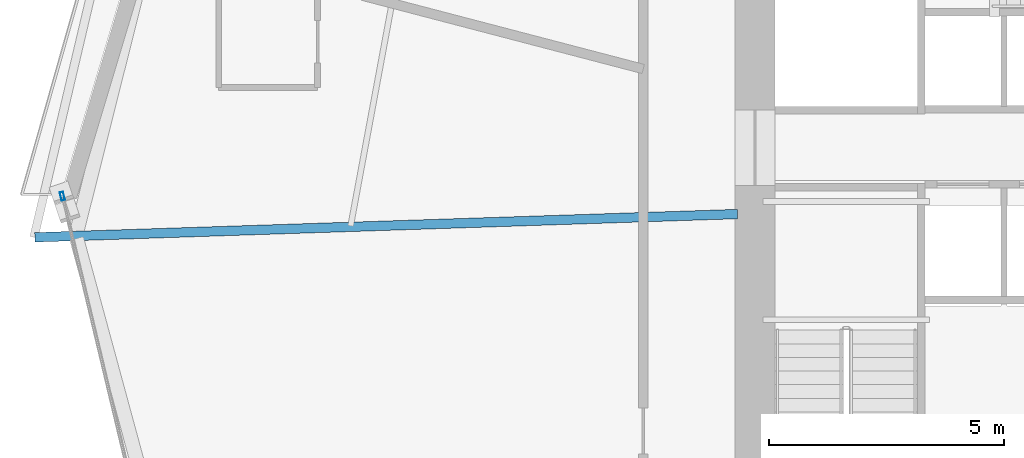
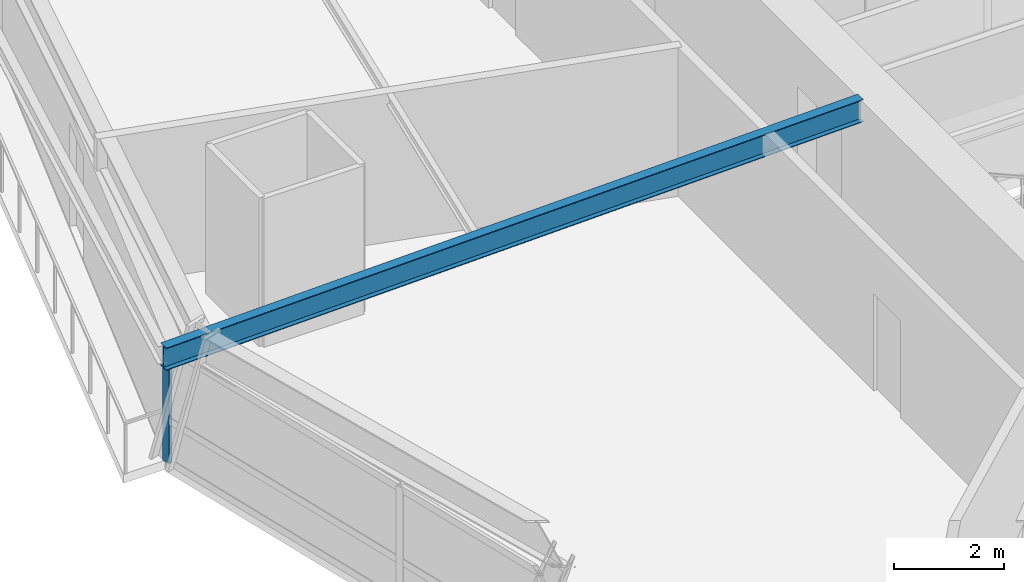
# One storey, part 6 of 21: 1 beam, 1 member, 1 element without a shape of its own.
"""IFC4 building model written with IfcOpenShell, lengths in metres."""

from ifc_helpers import new_model, si_unit, direction, frame, origin, origin_2d, place, context, subcontext, project, spatial, hollow_rectangle, i_section, extrude, source, transform, mapped, material, material_profile, profile_set, type_object, element, aggregate, save


model = new_model("IFC4")

# Units and contexts
model_context = context("Model", 3, precision=1e-05, world=origin(), true_north=direction((0.0, 1.0)))
body_context = subcontext(model_context, "Body", "Model", "MODEL_VIEW")
ifc_project = project(units=[si_unit("LENGTHUNIT", "METRE"), si_unit("AREAUNIT", "SQUARE_METRE"), si_unit("VOLUMEUNIT", "CUBIC_METRE"), si_unit("PLANEANGLEUNIT", "RADIAN"), si_unit("MASSUNIT", "GRAM", prefix="KILO")], contexts=[model_context])

# Site, building, storey
site_placement = place(None, origin())
site = spatial("IfcSite", under=ifc_project, at=site_placement, CompositionType="ELEMENT")
building_placement = place(site_placement, origin())
building = spatial("IfcBuilding", under=site, at=building_placement, Name="Olszyna Solenne Hotel", CompositionType="ELEMENT")
storey_placement = place(building_placement, frame((0.0, 0.0, 39.949951171875)))
storey = spatial("IfcBuildingStorey", under=building, at=storey_placement, Name="L09", CompositionType="ELEMENT", Elevation=39.949951171875)

# Beam
ifc_material_1 = material(Name="Steel S355J2", Category="steel")
ifc_material_profile_1 = material_profile(ifc_material_1, i_section(OverallWidth=0.199951171875, OverallDepth=0.5, WebThickness=0.01025390625, FlangeThickness=0.01611328125, at=origin_2d()), Name="IPE 500", Category="load-bearing")
ifc_profile_set_1 = profile_set([ifc_material_profile_1], Name="Steel S355J2")
beam_type = type_object("IfcBeamType", Name="BM-F3", PredefinedType="BEAM", material=ifc_profile_set_1)
shared_shape_1 = source(origin(), body_context, "Body", "SweptSolid", [
    extrude(i_section(OverallWidth=0.199951171875, OverallDepth=0.5, WebThickness=0.01025390625, FlangeThickness=0.01611328125, at=origin_2d()), origin(), (0.0, 0.0, 1.0), 14.928466796875),
])
beam_placement = place(storey_placement, frame((14.3798828125, 25.82080078125, 3.050048828125), z_axis=(0.99945201746, 0.033100827702, 0.0), x_axis=(-0.033100827702, 0.99945201746, 0.0)))
element("IfcBeam", 1, at=beam_placement, inside=storey, type_object=beam_type, Name="Radial floor girder BM-F3 B-L09-0306", PredefinedType="BEAM", context=body_context, shape_type="MappedRepresentation", body=[
    mapped(shared_shape_1, transform((0.0, 0.0, 0.0), x_axis=(1.0, 0.0, 0.0), y_axis=(0.0, 1.0, 0.0), z_axis=(0.0, 0.0, 1.0), scale=1.0)),
])

# Curtain wall, member
ifc_material_2 = material(Name="Anodised bronze aluminium", Category="aluminium")
curtain_wall_type = type_object("IfcCurtainWallType", Name="CW-SYS-2", PredefinedType="NOTDEFINED", material=ifc_material_2)
curtain_wall_placement = place(storey_placement, origin())
curtain_wall = element("IfcCurtainWall", 2, at=curtain_wall_placement, inside=storey, type_object=curtain_wall_type, Name="Unitised curtain wall CW-SYS-2 CW-L09-01", PredefinedType="NOTDEFINED")
ifc_material_profile_2 = material_profile(ifc_material_2, hollow_rectangle(XDim=0.074951171875, YDim=0.179931640625, WallThickness=0.00439453125, at=origin_2d()), Name="MULL 180x75x4.5", Category="load-bearing")
ifc_profile_set_2 = profile_set([ifc_material_profile_2], Name="Anodised bronze aluminium")
member_type = type_object("IfcMemberType", Name="CW-M2", PredefinedType="MULLION", material=ifc_profile_set_2)
shared_shape_2 = source(origin(), body_context, "Body", "SweptSolid", [
    extrude(hollow_rectangle(XDim=0.074951171875, YDim=0.179931640625, WallThickness=0.00439453125, at=origin_2d()), origin(), (0.0, 0.0, 1.0), 2.592041015625),
])
member_placement = place(storey_placement, frame((14.963623046875, 26.6962890625, 0.0), z_axis=(0.0, 0.0, 1.0), x_axis=(0.972707617715, 0.232034244109, 0.0)))
member = element("IfcMember", 3, at=member_placement, type_object=member_type, Name="Curtain-wall mullion CW-M2 CM-L09-01-01", PredefinedType="MULLION", context=body_context, shape_type="MappedRepresentation", body=[
    mapped(shared_shape_2, transform((0.0, 0.0, 0.0), x_axis=(1.0, 0.0, 0.0), y_axis=(0.0, 1.0, 0.0), z_axis=(0.0, 0.0, 1.0), scale=1.0)),
])
aggregate(curtain_wall, [member])

save(model, "model.ifc")
